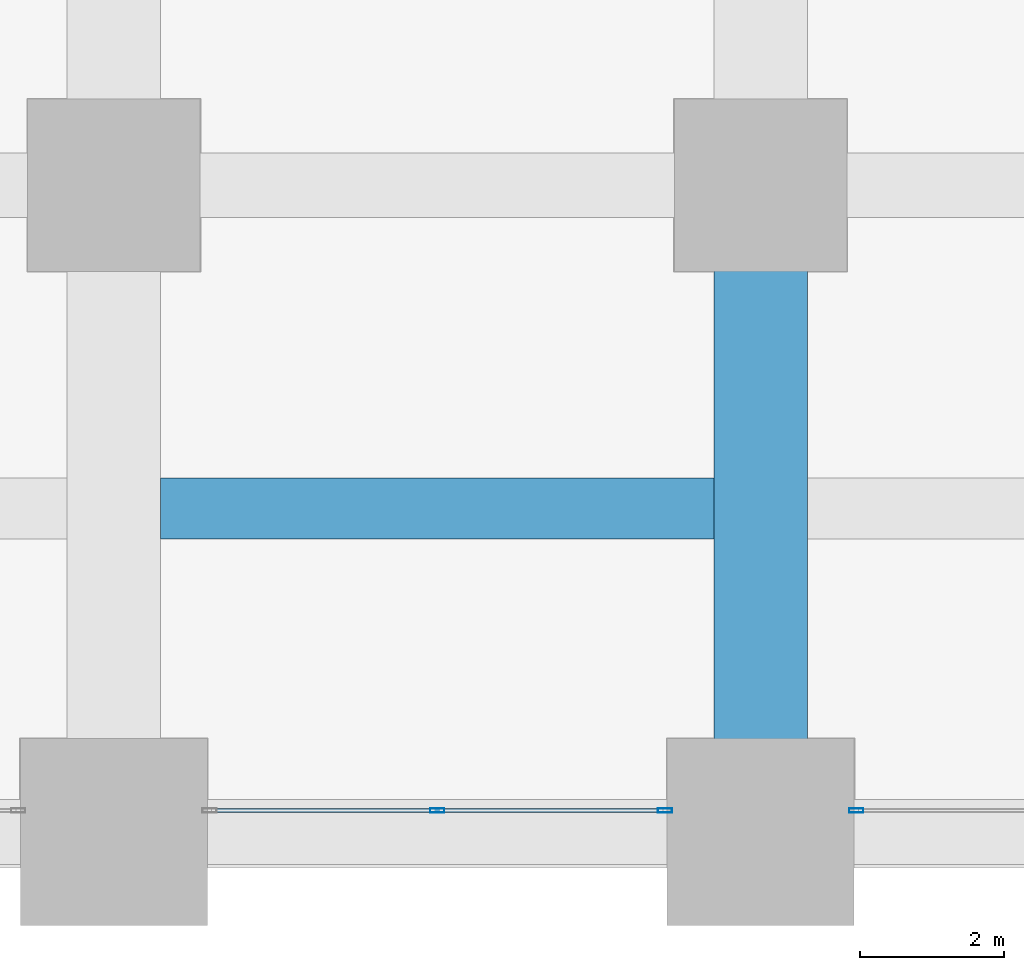
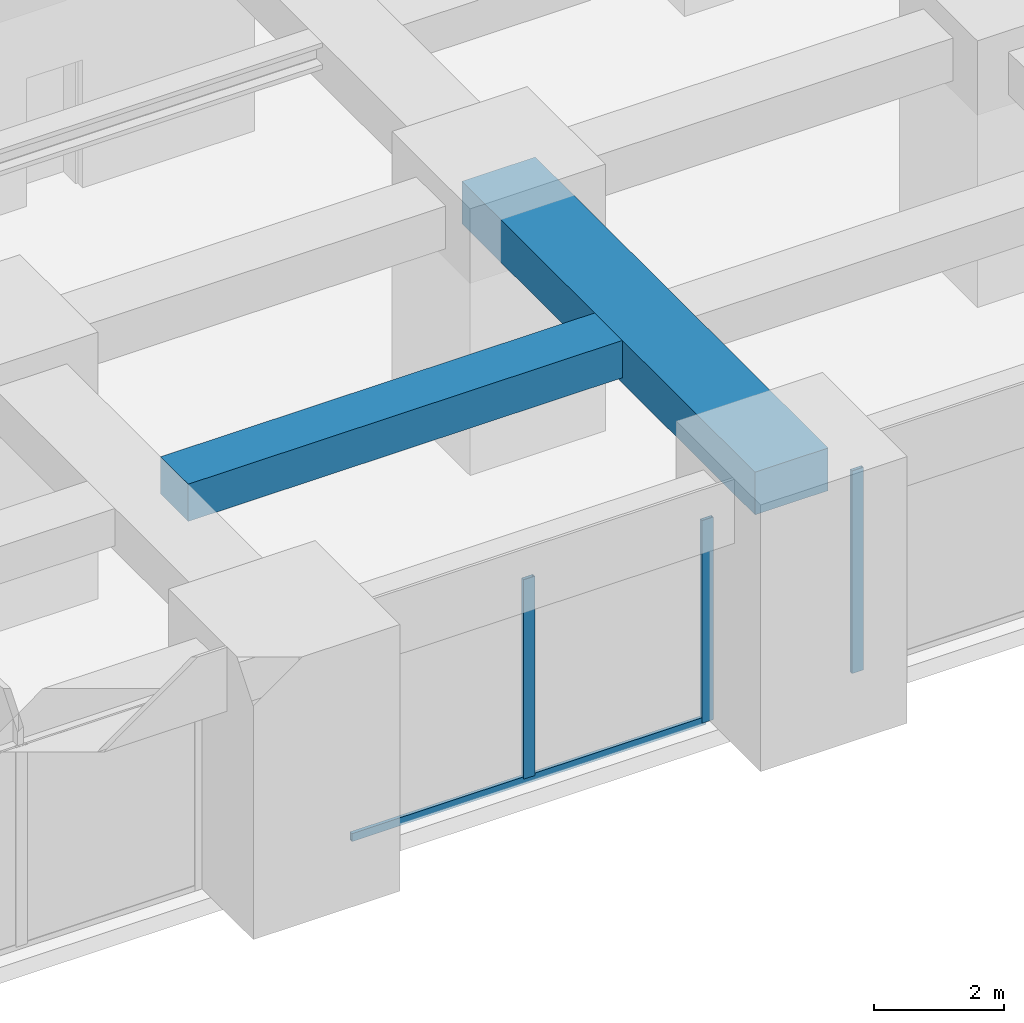
# One storey, part 15 of 46: 4 members, 2 beams, 2 elements without a shape of their own.
"""IFC4 building model written with IfcOpenShell, lengths in metres."""

from ifc_helpers import new_model, si_unit, direction, frame, origin, origin_2d, place, context, subcontext, project, spatial, rectangle, hollow_rectangle, extrude, material, material_profile, profile_set, type_object, element, aggregate, save


model = new_model("IFC4")

# Units and contexts
model_context = context("Model", 3, precision=1e-05, world=origin(), true_north=direction((0.0, 1.0)))
body_context = subcontext(model_context, "Body", "Model", "MODEL_VIEW")
ifc_project = project(units=[si_unit("LENGTHUNIT", "METRE"), si_unit("AREAUNIT", "SQUARE_METRE"), si_unit("VOLUMEUNIT", "CUBIC_METRE"), si_unit("PLANEANGLEUNIT", "RADIAN"), si_unit("MASSUNIT", "GRAM", prefix="KILO")], contexts=[model_context])

# Site, building, storey
site_placement = place(None, origin())
site = spatial("IfcSite", under=ifc_project, at=site_placement, CompositionType="ELEMENT")
building_placement = place(site_placement, origin())
building = spatial("IfcBuilding", under=site, at=building_placement, Name="Zorevar Civic Tower", CompositionType="ELEMENT")
storey_placement = place(building_placement, frame((0.0, 0.0, 10.800048828125)))
storey = spatial("IfcBuildingStorey", under=building, at=storey_placement, Name="L02", CompositionType="ELEMENT", Elevation=10.800048828125)

# Beams
ifc_material_1 = material(Name="Concrete C50/60", Category="concrete")
ifc_material_profile_1 = material_profile(ifc_material_1, rectangle(XDim=1.300048828125, YDim=0.800048828125, at=origin_2d()), Name="RC 1300x800")
ifc_profile_set_1 = profile_set([ifc_material_profile_1], Name="Concrete C50/60")
beam_type_1 = type_object("IfcBeamType", Name="Beam RC 1300x800", PredefinedType="BEAM", material=ifc_profile_set_1)
beam_1_placement = place(storey_placement, frame((45.0, 0.0, 4.199951171875), z_axis=(0.0, 1.0, 0.0), x_axis=(-1.0, 0.0, 0.0)))
element("IfcBeam", 1, at=beam_1_placement, inside=storey, type_object=beam_type_1, Name="Girder L03", PredefinedType="BEAM", context=body_context, shape_type="SweptSolid", body=[
    extrude(rectangle(XDim=1.300048828125, YDim=0.800048828125, at=origin_2d()), origin(), (0.0, 0.0, 1.0), 9.0),
])
ifc_material_2 = material(Name="Concrete C50/60", Category="concrete")
ifc_material_profile_2 = material_profile(ifc_material_2, rectangle(XDim=0.85009765625, YDim=0.699951171875, at=origin_2d()), Name="RC 850x700")
ifc_profile_set_2 = profile_set([ifc_material_profile_2], Name="Concrete C50/60")
beam_type_2 = type_object("IfcBeamType", Name="Beam RC 850x700", PredefinedType="BEAM", material=ifc_profile_set_2)
beam_2_placement = place(storey_placement, frame((36.64990234375, 4.5, 4.25), z_axis=(1.0, 0.0, 0.0), x_axis=(0.0, 1.0, 0.0)))
element("IfcBeam", 2, at=beam_2_placement, inside=storey, type_object=beam_type_2, Name="Secondary beam L03", PredefinedType="BEAM", context=body_context, shape_type="SweptSolid", body=[
    extrude(rectangle(XDim=0.85009765625, YDim=0.699951171875, at=origin_2d()), origin(), (0.0, 0.0, 1.0), 7.7001953125),
])

# Curtain wall, members
ifc_material_3 = material(Name="Dark grey solar-control glass in black aluminium frame", Category="aluminium")
curtain_wall_type = type_object("IfcCurtainWallType", Name="Curtain wall CW1 podium", PredefinedType="NOTDEFINED", material=ifc_material_3)
curtain_wall_1_placement = place(storey_placement, origin())
curtain_wall_1 = element("IfcCurtainWall", 3, at=curtain_wall_1_placement, inside=storey, type_object=curtain_wall_type, Name="CW1 L02", PredefinedType="NOTDEFINED")
ifc_material_4 = material(Name="Aluminium, black anodised", Category="aluminium")
ifc_material_profile_3 = material_profile(ifc_material_4, hollow_rectangle(XDim=0.06005859375, YDim=0.199951171875, WallThickness=0.00390625, at=origin_2d()), Name="AL 200x60x4")
ifc_profile_set_3 = profile_set([ifc_material_profile_3], Name="Aluminium, black anodised")
member_type_1 = type_object("IfcMemberType", Name="CW1 mullion AL 200x60x4", PredefinedType="MULLION", material=ifc_profile_set_3)
member_1_placement = place(storey_placement, frame((40.5, 0.300048828125, 0.06005859375), z_axis=(0.0, 0.0, 1.0), x_axis=(0.0, 1.0, 0.0)))
member_1 = element("IfcMember", 4, at=member_1_placement, type_object=member_type_1, Name="CW1 mullion 2", PredefinedType="MULLION", context=body_context, shape_type="SweptSolid", body=[
    extrude(hollow_rectangle(XDim=0.06005859375, YDim=0.199951171875, WallThickness=0.00390625, at=origin_2d()), origin(), (0.0, 0.0, 1.0), 3.739990234375),
])
member_2_placement = place(storey_placement, frame((43.669921875, 0.300048828125, 0.0), z_axis=(0.0, 0.0, 1.0), x_axis=(0.0, 1.0, 0.0)))
member_2 = element("IfcMember", 5, at=member_2_placement, type_object=member_type_1, Name="CW1 mullion 3", PredefinedType="MULLION", context=body_context, shape_type="SweptSolid", body=[
    extrude(hollow_rectangle(XDim=0.06005859375, YDim=0.199951171875, WallThickness=0.00390625, at=origin_2d()), origin(), (0.0, 0.0, 1.0), 3.800048828125),
])

# Curtain wall, member
curtain_wall_2_placement = place(storey_placement, origin())
curtain_wall_2 = element("IfcCurtainWall", 6, at=curtain_wall_2_placement, inside=storey, type_object=curtain_wall_type, Name="CW1 L02", PredefinedType="NOTDEFINED")
member_3_placement = place(storey_placement, frame((46.330078125, 0.300048828125, 0.0), z_axis=(0.0, 0.0, 1.0), x_axis=(0.0, 1.0, 0.0)))
member_3 = element("IfcMember", 7, at=member_3_placement, type_object=member_type_1, Name="CW1 mullion 1", PredefinedType="MULLION", context=body_context, shape_type="SweptSolid", body=[
    extrude(hollow_rectangle(XDim=0.06005859375, YDim=0.199951171875, WallThickness=0.00390625, at=origin_2d()), origin(), (0.0, 0.0, 1.0), 3.800048828125),
])
aggregate(curtain_wall_2, [member_3])

# Member
ifc_material_5 = material(Name="Aluminium, black anodised", Category="aluminium")
ifc_material_profile_4 = material_profile(ifc_material_5, hollow_rectangle(XDim=0.06005859375, YDim=0.14990234375, WallThickness=0.00390625, at=origin_2d()), Name="AL 150x60x4")
ifc_profile_set_4 = profile_set([ifc_material_profile_4], Name="Aluminium, black anodised")
member_type_2 = type_object("IfcMemberType", Name="CW1 transom AL 150x60x4", PredefinedType="USERDEFINED", material=ifc_profile_set_4)
member_4_placement = place(storey_placement, frame((37.360107421875, 0.300048828125, 0.030029296875), z_axis=(1.0, 0.0, 0.0), x_axis=(0.0, 1.0, 0.0)))
member_4 = element("IfcMember", 8, at=member_4_placement, type_object=member_type_2, Name="CW1 sill transom", ObjectType="TRANSOM", PredefinedType="USERDEFINED", context=body_context, shape_type="SweptSolid", body=[
    extrude(hollow_rectangle(XDim=0.06005859375, YDim=0.14990234375, WallThickness=0.00390625, at=origin_2d()), origin(), (0.0, 0.0, 1.0), 6.27978515625),
])

aggregate(curtain_wall_1, [member_1, member_2, member_4])

save(model, "model.ifc")
